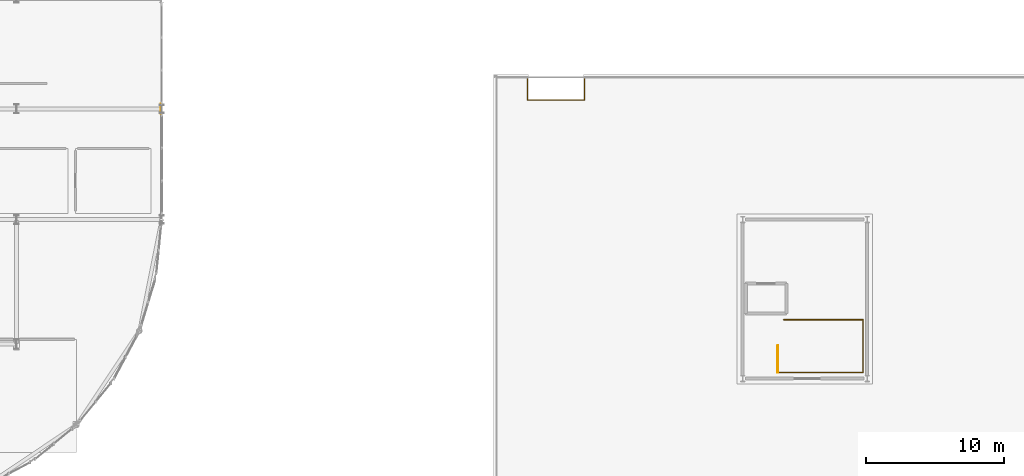
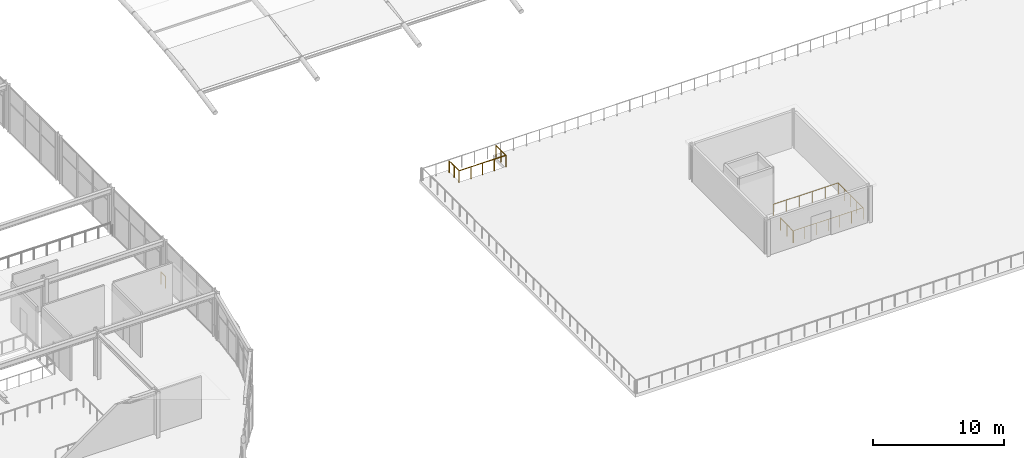
# One storey, part 97 of 105: 4 railings.
"""IFC4 building model written with IfcOpenShell, lengths in metres."""

from ifc_helpers import new_model, si_unit, direction, frame, origin, origin_2d, place, context, subcontext, project, spatial, circle, extrude, material, type_object, element, save


model = new_model("IFC4")

# Units and contexts
model_context = context("Model", 3, precision=1e-05, world=origin(), true_north=direction((0.0, 1.0)))
body_context = subcontext(model_context, "Body", "Model", "MODEL_VIEW")
ifc_project = project(units=[si_unit("LENGTHUNIT", "METRE"), si_unit("AREAUNIT", "SQUARE_METRE"), si_unit("VOLUMEUNIT", "CUBIC_METRE"), si_unit("PLANEANGLEUNIT", "RADIAN"), si_unit("MASSUNIT", "GRAM", prefix="KILO")], contexts=[model_context])

# Site, building, storey
site_placement = place(None, origin())
site = spatial("IfcSite", under=ifc_project, at=site_placement, CompositionType="ELEMENT")
building_placement = place(site_placement, origin())
building = spatial("IfcBuilding", under=site, at=building_placement, Name="Marlcrest Central Station", CompositionType="ELEMENT")
storey_placement = place(building_placement, frame((0.0, 0.0, 15.0)))
storey = spatial("IfcBuildingStorey", under=building, at=storey_placement, Name="L03", CompositionType="ELEMENT", Elevation=15.0)

# Railings
ifc_material_1 = material(Name="Galvanized painted steel balustrade", Category="steel")
railing_type_1 = type_object("IfcRailingType", Name="GR-01", PredefinedType="GUARDRAIL", material=ifc_material_1)
railing_1_placement = place(storey_placement, frame((155.43994140625, 32.659912109375, 0.0)))
element("IfcRailing", 1, at=railing_1_placement, inside=storey, type_object=railing_type_1, Name="hr-L03-00358", PredefinedType="GUARDRAIL", context=body_context, shape_type="SweptSolid", body=[
    extrude(circle(Radius=0.02392578125, at=origin_2d()), frame((0.0, 0.0, 1.09619140625), z_axis=(0.0, -1.0, 0.0), x_axis=(1.0, 0.0, 0.0)), (0.0, 0.0, 1.0), 1.52001953125),
    extrude(circle(Radius=0.02392578125, at=origin_2d()), frame((0.0, -1.52001953125, 1.09619140625), z_axis=(1.0, 0.0, 0.0), x_axis=(0.0, 1.0, 0.0)), (0.0, 0.0, 1.0), 4.1201171875),
    extrude(circle(Radius=0.02392578125, at=origin_2d()), frame((4.1201171875, -1.52001953125, 1.09619140625), z_axis=(0.0, 1.0, 0.0), x_axis=(-1.0, 0.0, 0.0)), (0.0, 0.0, 1.0), 1.52001953125),
    extrude(circle(Radius=0.02099609375, at=origin_2d()), origin(), (0.0, 0.0, 1.0), 1.072021484375),
    extrude(circle(Radius=0.02099609375, at=origin_2d()), frame((0.0, -0.760009765625, 0.0)), (0.0, 0.0, 1.0), 1.072021484375),
    extrude(circle(Radius=0.02099609375, at=origin_2d()), frame((0.0, -1.52001953125, 0.0)), (0.0, 0.0, 1.0), 1.072021484375),
    extrude(circle(Radius=0.02099609375, at=origin_2d()), frame((1.030029296875, -1.52001953125, 0.0)), (0.0, 0.0, 1.0), 1.072021484375),
    extrude(circle(Radius=0.02099609375, at=origin_2d()), frame((2.06005859375, -1.52001953125, 0.0)), (0.0, 0.0, 1.0), 1.072021484375),
    extrude(circle(Radius=0.02099609375, at=origin_2d()), frame((3.090087890625, -1.52001953125, 0.0)), (0.0, 0.0, 1.0), 1.072021484375),
    extrude(circle(Radius=0.02099609375, at=origin_2d()), frame((4.1201171875, -1.52001953125, 0.0)), (0.0, 0.0, 1.0), 1.072021484375),
    extrude(circle(Radius=0.02099609375, at=origin_2d()), frame((4.1201171875, -0.760009765625, 0.0)), (0.0, 0.0, 1.0), 1.072021484375),
    extrude(circle(Radius=0.02099609375, at=origin_2d()), frame((4.1201171875, 0.0, 0.0)), (0.0, 0.0, 1.0), 1.072021484375),
])
railing_2_placement = place(storey_placement, frame((173.5400390625, 11.43994140625, 0.0)))
element("IfcRailing", 2, at=railing_2_placement, inside=storey, type_object=railing_type_1, Name="hr-L03-00362", PredefinedType="GUARDRAIL", context=body_context, shape_type="SweptSolid", body=[
    extrude(circle(Radius=0.02392578125, at=origin_2d()), frame((0.0, 0.0, 1.09619140625), z_axis=(1.0, 0.0, 0.0), x_axis=(0.0, 1.0, 0.0)), (0.0, 0.0, 1.0), 6.169921875),
    extrude(circle(Radius=0.02392578125, at=origin_2d()), frame((6.169921875, 0.0, 1.09619140625), z_axis=(0.0, 1.0, 0.0), x_axis=(-1.0, 0.0, 0.0)), (0.0, 0.0, 1.0), 3.820068359375),
    extrude(circle(Radius=0.02392578125, at=origin_2d()), frame((6.169921875, 3.820068359375, 1.09619140625), z_axis=(-1.0, 0.0, 0.0), x_axis=(0.0, -1.0, 0.0)), (0.0, 0.0, 1.0), 5.739990234375),
    extrude(circle(Radius=0.02099609375, at=origin_2d()), origin(), (0.0, 0.0, 1.0), 1.072021484375),
    extrude(circle(Radius=0.02099609375, at=origin_2d()), frame((1.0283203125, 0.0, 0.0)), (0.0, 0.0, 1.0), 1.072021484375),
    extrude(circle(Radius=0.02099609375, at=origin_2d()), frame((2.056640625, 0.0, 0.0)), (0.0, 0.0, 1.0), 1.072021484375),
    extrude(circle(Radius=0.02099609375, at=origin_2d()), frame((3.0849609375, 0.0, 0.0)), (0.0, 0.0, 1.0), 1.072021484375),
    extrude(circle(Radius=0.02099609375, at=origin_2d()), frame((4.11328125, 0.0, 0.0)), (0.0, 0.0, 1.0), 1.072021484375),
    extrude(circle(Radius=0.02099609375, at=origin_2d()), frame((5.1416015625, 0.0, 0.0)), (0.0, 0.0, 1.0), 1.072021484375),
    extrude(circle(Radius=0.02099609375, at=origin_2d()), frame((6.169921875, 0.0, 0.0)), (0.0, 0.0, 1.0), 1.072021484375),
    extrude(circle(Radius=0.02099609375, at=origin_2d()), frame((6.169921875, 0.955078125, 0.0)), (0.0, 0.0, 1.0), 1.072021484375),
    extrude(circle(Radius=0.02099609375, at=origin_2d()), frame((6.169921875, 1.91015625, 0.0)), (0.0, 0.0, 1.0), 1.072021484375),
    extrude(circle(Radius=0.02099609375, at=origin_2d()), frame((6.169921875, 2.864990234375, 0.0)), (0.0, 0.0, 1.0), 1.072021484375),
    extrude(circle(Radius=0.02099609375, at=origin_2d()), frame((6.169921875, 3.820068359375, 0.0)), (0.0, 0.0, 1.0), 1.072021484375),
    extrude(circle(Radius=0.02099609375, at=origin_2d()), frame((5.02197265625, 3.820068359375, 0.0)), (0.0, 0.0, 1.0), 1.072021484375),
    extrude(circle(Radius=0.02099609375, at=origin_2d()), frame((3.8740234375, 3.820068359375, 0.0)), (0.0, 0.0, 1.0), 1.072021484375),
    extrude(circle(Radius=0.02099609375, at=origin_2d()), frame((2.725830078125, 3.820068359375, 0.0)), (0.0, 0.0, 1.0), 1.072021484375),
    extrude(circle(Radius=0.02099609375, at=origin_2d()), frame((1.577880859375, 3.820068359375, 0.0)), (0.0, 0.0, 1.0), 1.072021484375),
    extrude(circle(Radius=0.02099609375, at=origin_2d()), frame((0.429931640625, 3.820068359375, 0.0)), (0.0, 0.0, 1.0), 1.072021484375),
])
railing_3_placement = place(storey_placement, frame((173.5400390625, 13.389892578125, 0.0)))
element("IfcRailing", 3, at=railing_3_placement, inside=storey, type_object=railing_type_1, Name="hr-L03-00363", PredefinedType="GUARDRAIL", context=body_context, shape_type="SweptSolid", body=[
    extrude(circle(Radius=0.02392578125, at=origin_2d()), frame((0.0, 0.0, 1.09619140625), z_axis=(0.0, -1.0, 0.0), x_axis=(1.0, 0.0, 0.0)), (0.0, 0.0, 1.0), 1.949951171875),
    extrude(circle(Radius=0.02099609375, at=origin_2d()), origin(), (0.0, 0.0, 1.0), 1.072021484375),
    extrude(circle(Radius=0.02099609375, at=origin_2d()), frame((0.0, -0.97509765625, 0.0)), (0.0, 0.0, 1.0), 1.072021484375),
    extrude(circle(Radius=0.02099609375, at=origin_2d()), frame((0.0, -1.949951171875, 0.0)), (0.0, 0.0, 1.0), 1.072021484375),
])
ifc_material_2 = material(Name="Stainless steel and laminated glass concourse balustrade", Category="steel")
railing_type_2 = type_object("IfcRailingType", Name="GR-02", PredefinedType="BALUSTRADE", material=ifc_material_2)
railing_4_placement = place(storey_placement, frame((128.93994140625, 30.840087890625, 0.0)))
element("IfcRailing", 4, at=railing_4_placement, inside=storey, type_object=railing_type_2, Name="hr-L03-00429", PredefinedType="BALUSTRADE", context=body_context, shape_type="SweptSolid", body=[
    extrude(circle(Radius=0.02392578125, at=origin_2d()), frame((0.0, 0.0, 1.09619140625), z_axis=(0.0, -1.0, 0.0), x_axis=(1.0, 0.0, 0.0)), (0.0, 0.0, 1.0), 0.68017578125),
    extrude(circle(Radius=0.02099609375, at=origin_2d()), origin(), (0.0, 0.0, 1.0), 1.072021484375),
    extrude(circle(Radius=0.02099609375, at=origin_2d()), frame((0.0, -0.68017578125, 0.0)), (0.0, 0.0, 1.0), 1.072021484375),
])

save(model, "model.ifc")
